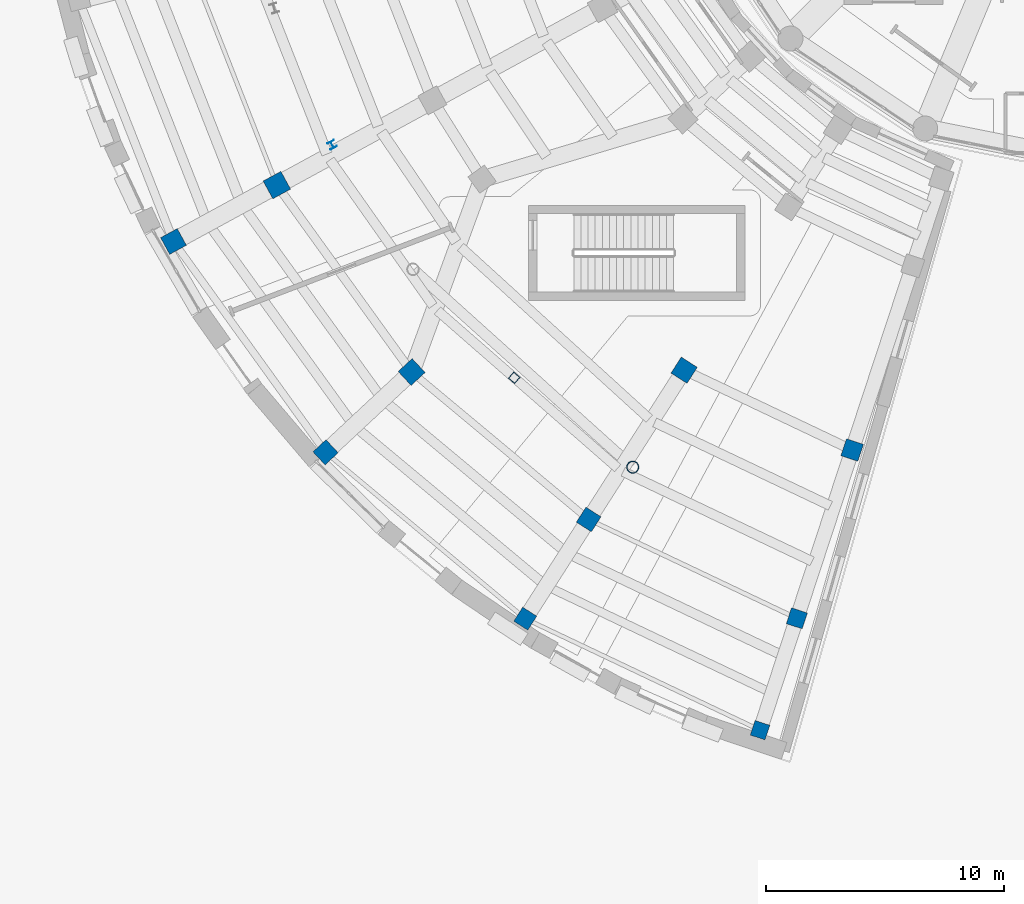
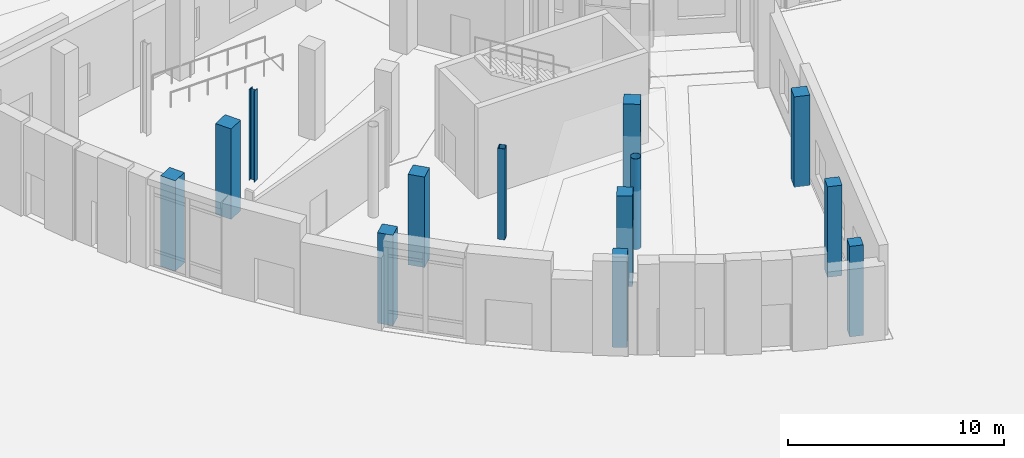
# One storey, part 1 of 74: 13 columns.
"""IFC4 building model written with IfcOpenShell, lengths in metres."""

from ifc_helpers import new_model, si_unit, direction, frame, origin, origin_2d, place, context, subcontext, project, spatial, rectangle, hollow_rectangle, hollow_circle, i_section, extrude, material, material_profile, profile_set, type_object, element, save


model = new_model("IFC4")

# Units and contexts
model_context = context("Model", 3, precision=1e-05, world=origin(), true_north=direction((0.0, 1.0)))
body_context = subcontext(model_context, "Body", "Model", "MODEL_VIEW")
ifc_project = project(units=[si_unit("LENGTHUNIT", "METRE"), si_unit("AREAUNIT", "SQUARE_METRE"), si_unit("VOLUMEUNIT", "CUBIC_METRE"), si_unit("PLANEANGLEUNIT", "RADIAN"), si_unit("MASSUNIT", "GRAM", prefix="KILO")], contexts=[model_context])

# Site, building, storey
site_placement = place(None, origin())
site = spatial("IfcSite", under=ifc_project, at=site_placement, CompositionType="ELEMENT")
building_placement = place(site_placement, origin())
building = spatial("IfcBuilding", under=site, at=building_placement, Name="Soyqirgoq Riverine Aquarium", CompositionType="ELEMENT")
storey_placement = place(building_placement, origin())
storey = spatial("IfcBuildingStorey", under=building, at=storey_placement, Name="L01", CompositionType="ELEMENT", Elevation=0.0)

# Columns
ifc_material_1 = material(Name="Concrete C40/50", Category="concrete")
ifc_material_profile_1 = material_profile(ifc_material_1, rectangle(XDim=0.64990234375, YDim=0.64990234375, at=origin_2d()), Name="RC 650x650")
ifc_profile_set_1 = profile_set([ifc_material_profile_1], Name="Concrete C40/50")
column_type_1 = type_object("IfcColumnType", Name="Col_RC_650x650", PredefinedType="COLUMN", material=ifc_profile_set_1)
column_1_placement = place(storey_placement, frame((42.382080078125, 15.581298828125, 0.0), z_axis=(0.0, 0.0, 1.0), x_axis=(-0.312334918512, -0.949972051525, 0.0)))
element("IfcColumn", 1, at=column_1_placement, inside=storey, type_object=column_type_1, Name="V2 Column V2-CR5-05 L01", PredefinedType="COLUMN", context=body_context, shape_type="SweptSolid", body=[
    extrude(rectangle(XDim=0.64990234375, YDim=0.64990234375, at=origin_2d()), origin(), (0.0, 0.0, 1.0), 5.1201171875),
])
ifc_material_2 = material(Name="Concrete C40/50", Category="concrete")
ifc_material_profile_2 = material_profile(ifc_material_2, rectangle(XDim=0.699951171875, YDim=0.699951171875, at=origin_2d()), Name="RC 700x700")
ifc_profile_set_2 = profile_set([ifc_material_profile_2], Name="Concrete C40/50")
column_type_2 = type_object("IfcColumnType", Name="Col_RC_700x700", PredefinedType="COLUMN", material=ifc_profile_set_2)
for number, where, z_axis, x_axis, name in (
    (2, (32.509521484375, 20.26904296875, 0.0), (0.0, 0.0, 1.0), (-0.538770785007, -0.842452397007, 0.0), "V2 Column V2-CR5-04 L01"),
    (3, (43.92822265625, 20.28369140625, 0.0), (0.0, 0.0, 1.0), (-0.312334918512, -0.949972051525, 0.0), "V2 Column V2-CR4-05 L01"),
):
    element("IfcColumn", number, at=place(storey_placement, frame(where, z_axis=z_axis, x_axis=x_axis)), inside=storey, type_object=column_type_2, Name=name, PredefinedType="COLUMN", context=body_context, shape_type="SweptSolid", body=[
        extrude(rectangle(XDim=0.699951171875, YDim=0.699951171875, at=origin_2d()), origin(), (0.0, 0.0, 1.0), 5.1201171875),
    ])
ifc_material_3 = material(Name="Concrete C40/50", Category="concrete")
ifc_material_profile_3 = material_profile(ifc_material_3, rectangle(XDim=0.75, YDim=0.75, at=origin_2d()), Name="RC 750x750")
ifc_profile_set_3 = profile_set([ifc_material_profile_3], Name="Concrete C40/50")
column_type_3 = type_object("IfcColumnType", Name="Col_RC_750x750", PredefinedType="COLUMN", material=ifc_profile_set_3)
for number, where, z_axis, x_axis, name in (
    (4, (24.113037109375, 27.264892578125, 0.0), (0.0, 0.0, 1.0), (-0.731353701619, -0.681998360062, 0.0), "V2 Column V2-CR5-03 L01"),
    (5, (35.176513671875, 24.439208984375, 0.0), (0.0, 0.0, 1.0), (-0.538770785007, -0.842452397007, 0.0), "V2 Column V2-CR4-04 L01"),
    (6, (46.255126953125, 27.36083984375, 0.0), (0.0, 0.0, 1.0), (-0.312334918512, -0.949972051525, 0.0), "V2 Column V2-CR3-05 L01"),
):
    element("IfcColumn", number, at=place(storey_placement, frame(where, z_axis=z_axis, x_axis=x_axis)), inside=storey, type_object=column_type_3, Name=name, PredefinedType="COLUMN", context=body_context, shape_type="SweptSolid", body=[
        extrude(rectangle(XDim=0.75, YDim=0.75, at=origin_2d()), origin(), (0.0, 0.0, 1.0), 5.1201171875),
    ])
ifc_material_4 = material(Name="Concrete C40/50", Category="concrete")
ifc_material_profile_4 = material_profile(ifc_material_4, rectangle(XDim=0.800048828125, YDim=0.800048828125, at=origin_2d()), Name="RC 800x800")
ifc_profile_set_4 = profile_set([ifc_material_profile_4], Name="Concrete C40/50")
column_type_4 = type_object("IfcColumnType", Name="Col_RC_800x800", PredefinedType="COLUMN", material=ifc_profile_set_4)
for number, where, z_axis, x_axis, name in (
    (7, (17.719970703125, 36.12890625, 0.0), (0.0, 0.0, 1.0), (-0.877982975428, -0.478691857941, 0.0), "V2 Column V2-CR5-02 L01"),
    (8, (27.733154296875, 30.640869140625, 0.0), (0.0, 0.0, 1.0), (-0.731353701619, -0.681998360062, 0.0), "V2 Column V2-CR4-03 L01"),
    (9, (39.1904296875, 30.715576171875, 0.0), (0.0, 0.0, 1.0), (-0.538770785007, -0.842452397007, 0.0), "V2 Column V2-CR3-04 L01"),
):
    element("IfcColumn", number, at=place(storey_placement, frame(where, z_axis=z_axis, x_axis=x_axis)), inside=storey, type_object=column_type_4, Name=name, PredefinedType="COLUMN", context=body_context, shape_type="SweptSolid", body=[
        extrude(rectangle(XDim=0.800048828125, YDim=0.800048828125, at=origin_2d()), origin(), (0.0, 0.0, 1.0), 5.1201171875),
    ])
ifc_material_5 = material(Name="Concrete C40/50", Category="concrete")
ifc_material_profile_5 = material_profile(ifc_material_5, rectangle(XDim=0.85009765625, YDim=0.85009765625, at=origin_2d()), Name="RC 850x850")
ifc_profile_set_5 = profile_set([ifc_material_profile_5], Name="Concrete C40/50")
column_type_5 = type_object("IfcColumnType", Name="Col_RC_850x850", PredefinedType="COLUMN", material=ifc_profile_set_5)
column_2_placement = place(storey_placement, frame((22.06591796875, 38.49853515625, 0.0), z_axis=(0.0, 0.0, 1.0), x_axis=(-0.877982975428, -0.478691857941, 0.0)))
element("IfcColumn", 10, at=column_2_placement, inside=storey, type_object=column_type_5, Name="V2 Column V2-CR4-02 L01", PredefinedType="COLUMN", context=body_context, shape_type="SweptSolid", body=[
    extrude(rectangle(XDim=0.85009765625, YDim=0.85009765625, at=origin_2d()), origin(), (0.0, 0.0, 1.0), 5.1201171875),
])
ifc_material_6 = material(Name="Structural steel S355", Category="steel")
ifc_material_profile_6 = material_profile(ifc_material_6, hollow_circle(Radius=0.25390625, WallThickness=0.02001953125, at=origin_2d()), Name="CHS 508x20")
ifc_profile_set_6 = profile_set([ifc_material_profile_6], Name="Structural steel S355")
column_type_6 = type_object("IfcColumnType", Name="Col_Steel_CHS508", PredefinedType="COLUMN", material=ifc_profile_set_6)
column_3_placement = place(storey_placement, frame((37.02880859375, 26.639892578125, 0.0), z_axis=(0.0, 0.0, 1.0), x_axis=(-0.529919264233, -0.848048096156, 0.0)))
element("IfcColumn", 11, at=column_3_placement, inside=storey, type_object=column_type_6, Name="V2 Column V2-CSW-05 L01", PredefinedType="COLUMN", context=body_context, shape_type="SweptSolid", body=[
    extrude(hollow_circle(Radius=0.25390625, WallThickness=0.02001953125, at=origin_2d()), origin(), (0.0, 0.0, 1.0), 5.139892578125),
])
ifc_material_7 = material(Name="Structural steel S355", Category="steel")
ifc_material_profile_7 = material_profile(ifc_material_7, i_section(OverallWidth=0.300048828125, OverallDepth=0.300048828125, WebThickness=0.010986328125, FlangeThickness=0.01904296875, FilletRadius=0.027099609375, at=origin_2d()), Name="HEB 300")
ifc_profile_set_7 = profile_set([ifc_material_profile_7], Name="Structural steel S355")
column_type_7 = type_object("IfcColumnType", Name="Col_Steel_HEB300", PredefinedType="COLUMN", material=ifc_profile_set_7)
column_4_placement = place(storey_placement, frame((24.390380859375, 40.19287109375, 0.0), z_axis=(0.0, 0.0, 1.0), x_axis=(-0.882947592859, -0.469471562786, 0.0)))
element("IfcColumn", 12, at=column_4_placement, inside=storey, type_object=column_type_7, Name="V2 Column V2-CSW-02 L01", PredefinedType="COLUMN", context=body_context, shape_type="SweptSolid", body=[
    extrude(i_section(OverallWidth=0.300048828125, OverallDepth=0.300048828125, WebThickness=0.010986328125, FlangeThickness=0.01904296875, FilletRadius=0.027099609375, at=origin_2d()), origin(), (0.0, 0.0, 1.0), 5.139892578125),
])
ifc_material_8 = material(Name="Structural steel S355", Category="steel")
ifc_material_profile_8 = material_profile(ifc_material_8, hollow_rectangle(XDim=0.35009765625, YDim=0.35009765625, WallThickness=0.01611328125, at=origin_2d()), Name="SHS 350x350x16")
ifc_profile_set_8 = profile_set([ifc_material_profile_8], Name="Structural steel S355")
column_type_8 = type_object("IfcColumnType", Name="Col_Steel_SHS350", PredefinedType="COLUMN", material=ifc_profile_set_8)
column_5_placement = place(storey_placement, frame((32.045166015625, 30.3955078125, 0.0), z_axis=(0.0, 0.0, 1.0), x_axis=(-0.669130606359, -0.743144825477, 0.0)))
element("IfcColumn", 13, at=column_5_placement, inside=storey, type_object=column_type_8, Name="V2 Column V2-CSW-04 L01", PredefinedType="COLUMN", context=body_context, shape_type="SweptSolid", body=[
    extrude(hollow_rectangle(XDim=0.35009765625, YDim=0.35009765625, WallThickness=0.01611328125, at=origin_2d()), origin(), (0.0, 0.0, 1.0), 5.139892578125),
])

save(model, "model.ifc")
